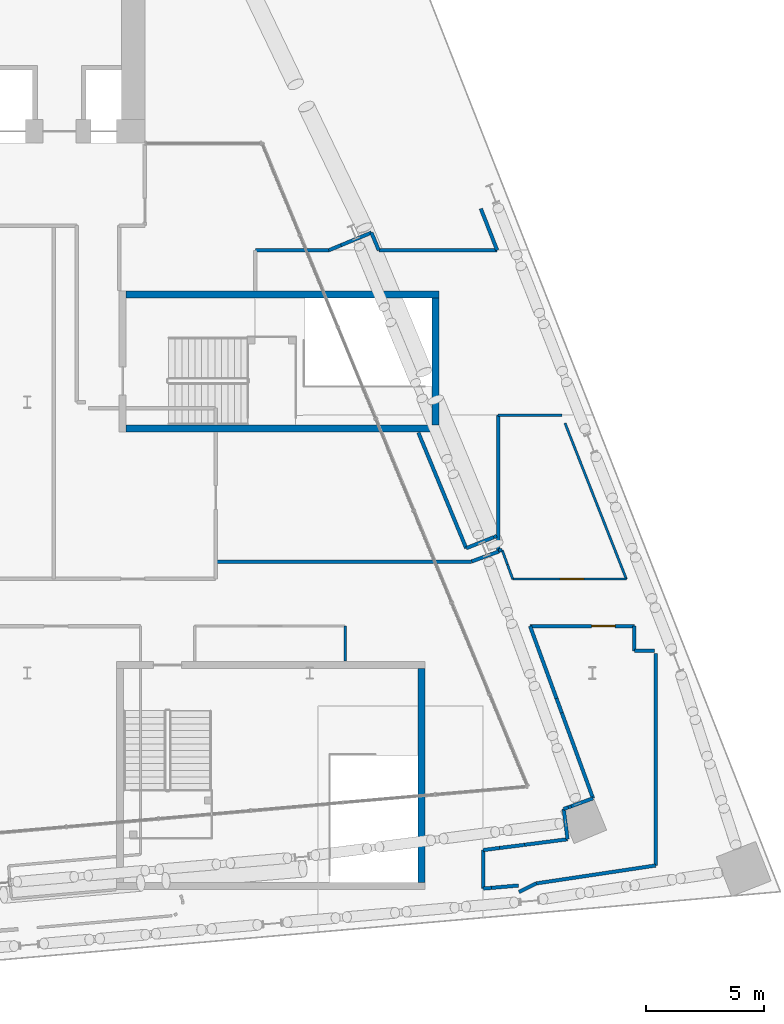
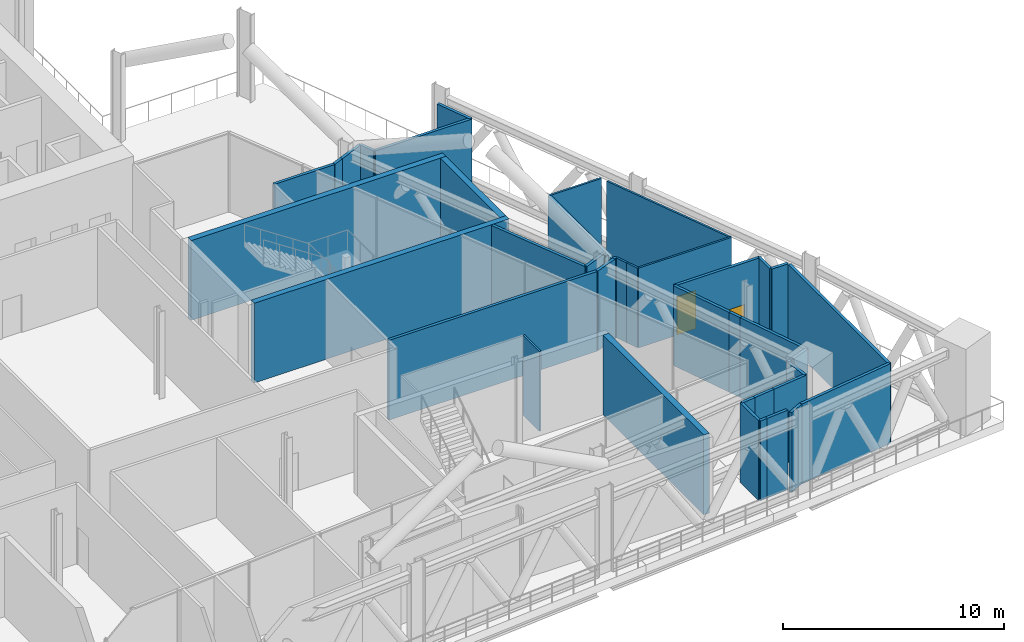
# One storey, part 22 of 42: 42 walls, 2 doors, 2 openings.
"""IFC4 building model written with IfcOpenShell, lengths in metres."""

from ifc_helpers import new_model, si_unit, direction, frame, frame_2d, origin, place, context, subcontext, project, spatial, rectangle, extrude, material, layer, layer_set, type_object, element, fill, save


model = new_model("IFC4")

# Units and contexts
model_context = context("Model", 3, precision=1e-05, world=origin(), true_north=direction((0.0, 1.0)))
body_context = subcontext(model_context, "Body", "Model", "MODEL_VIEW")
ifc_project = project(units=[si_unit("LENGTHUNIT", "METRE"), si_unit("AREAUNIT", "SQUARE_METRE"), si_unit("VOLUMEUNIT", "CUBIC_METRE"), si_unit("PLANEANGLEUNIT", "RADIAN"), si_unit("MASSUNIT", "GRAM", prefix="KILO")], contexts=[model_context])

# Site, building, storey
site_placement = place(None, origin())
site = spatial("IfcSite", under=ifc_project, at=site_placement, CompositionType="ELEMENT")
building_placement = place(site_placement, origin())
building = spatial("IfcBuilding", under=site, at=building_placement, Name="Wharfspan Tower", CompositionType="ELEMENT")
storey_placement = place(building_placement, frame((0.0, 0.0, 147.100098)))
storey = spatial("IfcBuildingStorey", under=building, at=storey_placement, Name="L35", CompositionType="ELEMENT", Elevation=147.100098)

# Wall
ifc_material_1 = material(Name="Gypsum board on steel studs", Category="steel")
ifc_layer_1 = layer(ifc_material_1, 0.100098)
ifc_layer_set_1 = layer_set([ifc_layer_1], Name="Gypsum board on steel studs")
wall_type_1 = type_object("IfcWallType", Name="Compartment wall 100 EI 60", PredefinedType="PARTITIONING", material=ifc_layer_set_1)
wall_1_placement = place(storey_placement, frame((73.5, 12.003662, 0.0), z_axis=(0.0, 0.0, 1.0), x_axis=(0.0, 1.0, 0.0)))
element("IfcWall", 1, at=wall_1_placement, inside=storey, type_object=wall_type_1, Name="Partition L35.w083", PredefinedType="PARTITIONING", context=body_context, shape_type="SweptSolid", body=[
    extrude(rectangle(XDim=1.486328, YDim=0.100098, at=frame_2d((0.743164, 0.0))), origin(), (0.0, 0.0, 1.0), 4.399902),
])

# Wall, opening, door
wall_2_placement = place(storey_placement, frame((80.620117, 15.48999, 0.0), z_axis=(0.0, 0.0, 1.0), x_axis=(1.0, 0.0, 0.0)))
wall_2 = element("IfcWall", 2, at=wall_2_placement, inside=storey, type_object=wall_type_1, Name="Partition L35.w100", PredefinedType="PARTITIONING", context=body_context, shape_type="SweptSolid", body=[
    extrude(rectangle(XDim=4.824951, YDim=0.100098, at=frame_2d((2.412598, 0.0))), origin(), (0.0, 0.0, 1.0), 4.399902),
])
opening_1_placement = place(wall_2_placement, frame((2.011963, 0.0, 0.0)))
opening_1 = element("IfcOpeningElement", 3, at=opening_1_placement, cuts=wall_2, Name="Opening BB-11", PredefinedType="OPENING", context=body_context, shape_type="SweptSolid", body=[
    extrude(rectangle(XDim=1.0, YDim=2.100098, at=frame_2d((0.5, 1.050049))), frame((0.0, 0.060059, 0.0), z_axis=(0.0, -1.0, 0.0), x_axis=(1.0, 0.0, 0.0)), (0.0, 0.0, 1.0), 0.120117),
])
ifc_material_2 = material(Name="Fire-rated timber door leaf in steel frame", Category="steel")
door_type_1 = type_object("IfcDoorType", Name="Door 1000 FD30S Right", OperationType="SINGLE_SWING_RIGHT", PredefinedType="DOOR", material=ifc_material_2)
door_1_placement = place(opening_1_placement, origin())
door_1 = element("IfcDoor", 4, at=door_1_placement, inside=storey, type_object=door_type_1, Name="Door BB-11", OperationType="SINGLE_SWING_RIGHT", OverallHeight=2.100098, OverallWidth=1.0, PredefinedType="DOOR", context=body_context, shape_type="SweptSolid", body=[
    extrude(rectangle(XDim=1.0, YDim=2.100098, at=frame_2d((0.5, 1.050049))), frame((0.0, 0.024902, 0.0), z_axis=(0.0, -1.0, 0.0), x_axis=(1.0, 0.0, 0.0)), (0.0, 0.0, 1.0), 0.050049),
])
fill(opening_1, door_1)

# Walls
wall_3_placement = place(storey_placement, frame((80.620117, 15.48999, 0.0), z_axis=(0.0, 0.0, 1.0), x_axis=(-0.343719, 0.939076, 0.0)))
element("IfcWall", 5, at=wall_3_placement, inside=storey, type_object=wall_type_1, Name="Partition L35.w101", PredefinedType="PARTITIONING", context=body_context, shape_type="SweptSolid", body=[
    extrude(rectangle(XDim=0.654785, YDim=0.100098, at=frame_2d((0.327393, 0.0))), origin(), (0.0, 0.0, 1.0), 4.399902),
])
wall_4_placement = place(storey_placement, frame((85.445068, 15.48999, 0.0), z_axis=(0.0, 0.0, 1.0), x_axis=(-0.366214, 0.930531, 0.0)))
element("IfcWall", 6, at=wall_4_placement, inside=storey, type_object=wall_type_1, Name="Partition L35.w114", PredefinedType="PARTITIONING", context=body_context, shape_type="SweptSolid", body=[
    extrude(rectangle(XDim=7.114502, YDim=0.100098, at=frame_2d((3.557129, 0.0))), origin(), (0.0, 0.0, 1.0), 4.399902),
])
ifc_layer_2 = layer(ifc_material_1, 0.100098)
ifc_layer_set_2 = layer_set([ifc_layer_2], Name="Gypsum board on steel studs")
wall_type_2 = type_object("IfcWallType", Name="Partition 100", PredefinedType="PARTITIONING", material=ifc_layer_set_2)
wall_5_placement = place(storey_placement, frame((80.0, 22.449951, 0.0), z_axis=(0.0, 0.0, 1.0), x_axis=(1.0, 0.0, 0.0)))
element("IfcWall", 7, at=wall_5_placement, inside=storey, type_object=wall_type_2, Name="Partition L35.w096", PredefinedType="PARTITIONING", context=body_context, shape_type="SweptSolid", body=[
    extrude(rectangle(XDim=2.709961, YDim=0.100098, at=frame_2d((1.35498, 0.0))), origin(), (0.0, 0.0, 1.0), 4.399902),
])
wall_6_placement = place(storey_placement, frame((80.39502, 16.10498, 0.0), z_axis=(0.0, 0.0, 1.0), x_axis=(-0.341711, 0.9398, 0.0)))
element("IfcWall", 8, at=wall_6_placement, inside=storey, type_object=wall_type_2, Name="Partition L35.w099", PredefinedType="PARTITIONING", context=body_context, shape_type="SweptSolid", body=[
    extrude(rectangle(XDim=0.643799, YDim=0.100098, at=frame_2d((0.321777, 0.0))), origin(), (0.0, 0.0, 1.0), 4.399902),
])
ifc_layer_3 = layer(ifc_material_1, 0.149902)
ifc_layer_set_3 = layer_set([ifc_layer_3], Name="Gypsum board on steel studs")
wall_type_3 = type_object("IfcWallType", Name="Plant room wall 150 EI 120", PredefinedType="PARTITIONING", material=ifc_layer_set_3)
wall_7_placement = place(storey_placement, frame((68.0, 16.22998, 0.0), z_axis=(0.0, 0.0, 1.0), x_axis=(1.0, 0.0, 0.0)))
element("IfcWall", 9, at=wall_7_placement, inside=storey, type_object=wall_type_3, Name="Partition L35.w078", PredefinedType="PARTITIONING", context=body_context, shape_type="SweptSolid", body=[
    extrude(rectangle(XDim=10.860107, YDim=0.149902, at=frame_2d((5.430176, 0.0))), origin(), (0.0, 0.0, 1.0), 4.399902),
])
wall_8_placement = place(storey_placement, frame((69.689941, 29.449951, 0.0), z_axis=(0.0, 0.0, 1.0), x_axis=(1.0, 0.0, 0.0)))
element("IfcWall", 10, at=wall_8_placement, inside=storey, type_object=wall_type_3, Name="Partition L35.w080", PredefinedType="PARTITIONING", context=body_context, shape_type="SweptSolid", body=[
    extrude(rectangle(XDim=3.120117, YDim=0.149902, at=frame_2d((1.560059, 0.0))), origin(), (0.0, 0.0, 1.0), 4.399902),
])
wall_9_placement = place(storey_placement, frame((72.810059, 29.449951, 0.0), z_axis=(0.0, 0.0, 1.0), x_axis=(0.922727, 0.385454, 0.0)))
element("IfcWall", 11, at=wall_9_placement, inside=storey, type_object=wall_type_3, Name="Partition L35.w081", PredefinedType="PARTITIONING", context=body_context, shape_type="SweptSolid", body=[
    extrude(rectangle(XDim=0.558105, YDim=0.149902, at=frame_2d((0.279053, 0.0))), origin(), (0.0, 0.0, 1.0), 4.399902),
])
wall_10_placement = place(storey_placement, frame((73.324951, 29.665039, 0.0), z_axis=(0.0, 0.0, 1.0), x_axis=(0.924271, 0.38173, 0.0)))
element("IfcWall", 12, at=wall_10_placement, inside=storey, type_object=wall_type_3, Name="Partition L35.w082", PredefinedType="PARTITIONING", context=body_context, shape_type="SweptSolid", body=[
    extrude(rectangle(XDim=1.401367, YDim=0.149902, at=frame_2d((0.700684, 0.0))), origin(), (0.0, 0.0, 1.0), 4.399902),
])
wall_11_placement = place(storey_placement, frame((74.929932, 29.449951, 0.0), z_axis=(0.0, 0.0, 1.0), x_axis=(1.0, 0.0, 0.0)))
element("IfcWall", 13, at=wall_11_placement, inside=storey, type_object=wall_type_3, Name="Partition L35.w084", PredefinedType="PARTITIONING", context=body_context, shape_type="SweptSolid", body=[
    extrude(rectangle(XDim=5.030029, YDim=0.149902, at=frame_2d((2.515137, 0.0))), origin(), (0.0, 0.0, 1.0), 4.399902),
])
wall_12_placement = place(storey_placement, frame((74.929932, 29.449951, 0.0), z_axis=(0.0, 0.0, 1.0), x_axis=(-0.381793, 0.924246, 0.0)))
element("IfcWall", 14, at=wall_12_placement, inside=storey, type_object=wall_type_3, Name="Partition L35.w085", PredefinedType="PARTITIONING", context=body_context, shape_type="SweptSolid", body=[
    extrude(rectangle(XDim=0.811523, YDim=0.149902, at=frame_2d((0.405762, 0.0))), origin(), (0.0, 0.0, 1.0), 4.399902),
])
wall_13_placement = place(storey_placement, frame((78.64502, 16.794922, 0.0), z_axis=(0.0, 0.0, 1.0), x_axis=(0.927928, 0.372759, 0.0)))
element("IfcWall", 15, at=wall_13_placement, inside=storey, type_object=wall_type_3, Name="Partition L35.w086", PredefinedType="PARTITIONING", context=body_context, shape_type="SweptSolid", body=[
    extrude(rectangle(XDim=1.260742, YDim=0.149902, at=frame_2d((0.630371, 0.0))), origin(), (0.0, 0.0, 1.0), 4.399902),
])
wall_14_placement = place(storey_placement, frame((78.64502, 16.794922, 0.0), z_axis=(0.0, 0.0, 1.0), x_axis=(-0.382344, 0.924021, 0.0)))
element("IfcWall", 16, at=wall_14_placement, inside=storey, type_object=wall_type_3, Name="Partition L35.w087", PredefinedType="PARTITIONING", context=body_context, shape_type="SweptSolid", body=[
    extrude(rectangle(XDim=5.313965, YDim=0.149902, at=frame_2d((2.656982, 0.0))), origin(), (0.0, 0.0, 1.0), 4.399902),
])
wall_15_placement = place(storey_placement, frame((78.879883, 16.235107, 0.0), z_axis=(0.0, 0.0, 1.0), x_axis=(0.938647, 0.344869, 0.0)))
element("IfcWall", 17, at=wall_15_placement, inside=storey, type_object=wall_type_3, Name="Partition L35.w088", PredefinedType="PARTITIONING", context=body_context, shape_type="SweptSolid", body=[
    extrude(rectangle(XDim=1.246582, YDim=0.149902, at=frame_2d((0.623291, 0.0))), origin(), (0.0, 0.0, 1.0), 4.399902),
])
wall_16_placement = place(storey_placement, frame((79.36499, 2.340088, 0.0), z_axis=(0.0, 0.0, 1.0), x_axis=(0.0, 1.0, 0.0)))
element("IfcWall", 18, at=wall_16_placement, inside=storey, type_object=wall_type_3, Name="Partition L35.w089", PredefinedType="PARTITIONING", context=body_context, shape_type="SweptSolid", body=[
    extrude(rectangle(XDim=1.63501, YDim=0.149902, at=frame_2d((0.817383, 0.0))), origin(), (0.0, 0.0, 1.0), 4.399902),
])
wall_17_placement = place(storey_placement, frame((79.36499, 2.340088, 0.0), z_axis=(0.0, 0.0, 1.0), x_axis=(0.996537, 0.083101, 0.0)))
element("IfcWall", 19, at=wall_17_placement, inside=storey, type_object=wall_type_3, Name="Partition L35.w090", PredefinedType="PARTITIONING", context=body_context, shape_type="SweptSolid", body=[
    extrude(rectangle(XDim=0.361328, YDim=0.149902, at=frame_2d((0.180664, 0.0))), origin(), (0.0, 0.0, 1.0), 4.399902),
])
wall_18_placement = place(storey_placement, frame((79.36499, 3.975098, 0.0), z_axis=(0.0, 0.0, 1.0), x_axis=(0.991865, 0.127313, 0.0)))
element("IfcWall", 20, at=wall_18_placement, inside=storey, type_object=wall_type_3, Name="Partition L35.w091", PredefinedType="PARTITIONING", context=body_context, shape_type="SweptSolid", body=[
    extrude(rectangle(XDim=0.705811, YDim=0.149902, at=frame_2d((0.353027, 0.0))), origin(), (0.0, 0.0, 1.0), 4.399902),
])
wall_19_placement = place(storey_placement, frame((79.725098, 2.370117, 0.0), z_axis=(0.0, 0.0, 1.0), x_axis=(0.996148, 0.087637, 0.0)))
element("IfcWall", 21, at=wall_19_placement, inside=storey, type_object=wall_type_3, Name="Partition L35.w092", PredefinedType="PARTITIONING", context=body_context, shape_type="SweptSolid", body=[
    extrude(rectangle(XDim=1.139404, YDim=0.149902, at=frame_2d((0.569824, 0.0))), origin(), (0.0, 0.0, 1.0), 4.399902),
])
wall_20_placement = place(storey_placement, frame((79.820068, 17.264893, 0.0), z_axis=(0.0, 0.0, 1.0), x_axis=(0.922795, 0.385281, 0.0)))
element("IfcWall", 22, at=wall_20_placement, inside=storey, type_object=wall_type_3, Name="Partition L35.w093", PredefinedType="PARTITIONING", context=body_context, shape_type="SweptSolid", body=[
    extrude(rectangle(XDim=0.129883, YDim=0.149902, at=frame_2d((0.064941, 0.0))), origin(), (0.0, 0.0, 1.0), 4.399902),
])
wall_21_placement = place(storey_placement, frame((79.959961, 29.449951, 0.0), z_axis=(0.0, 0.0, 1.0), x_axis=(-0.365519, 0.930809, 0.0)))
element("IfcWall", 23, at=wall_21_placement, inside=storey, type_object=wall_type_3, Name="Partition L35.w094", PredefinedType="PARTITIONING", context=body_context, shape_type="SweptSolid", body=[
    extrude(rectangle(XDim=1.901611, YDim=0.149902, at=frame_2d((0.950684, 0.0))), origin(), (0.0, 0.0, 1.0), 4.399902),
])
wall_22_placement = place(storey_placement, frame((80.0, 16.709961, 0.0), z_axis=(0.0, 0.0, 1.0), x_axis=(0.0, 1.0, 0.0)))
element("IfcWall", 24, at=wall_22_placement, inside=storey, type_object=wall_type_3, Name="Partition L35.w095", PredefinedType="PARTITIONING", context=body_context, shape_type="SweptSolid", body=[
    extrude(rectangle(XDim=5.73999, YDim=0.149902, at=frame_2d((2.870117, 0.0))), origin(), (0.0, 0.0, 1.0), 4.399902),
])
wall_23_placement = place(storey_placement, frame((80.024902, 16.709961, 0.0), z_axis=(0.0, 0.0, 1.0), x_axis=(1.0, 0.0, 0.0)))
element("IfcWall", 25, at=wall_23_placement, inside=storey, type_object=wall_type_3, Name="Partition L35.w097", PredefinedType="PARTITIONING", context=body_context, shape_type="SweptSolid", body=[
    extrude(rectangle(XDim=0.14502, YDim=0.149902, at=frame_2d((0.07251, 0.0))), origin(), (0.0, 0.0, 1.0), 4.399902),
])
wall_24_placement = place(storey_placement, frame((80.064941, 4.064941, 0.0), z_axis=(0.0, 0.0, 1.0), x_axis=(0.992059, 0.12577, 0.0)))
element("IfcWall", 26, at=wall_24_placement, inside=storey, type_object=wall_type_3, Name="Partition L35.w098", PredefinedType="PARTITIONING", context=body_context, shape_type="SweptSolid", body=[
    extrude(rectangle(XDim=1.073486, YDim=0.149902, at=frame_2d((0.536621, 0.0))), origin(), (0.0, 0.0, 1.0), 4.399902),
])
wall_25_placement = place(storey_placement, frame((80.88501, 2.189941, 0.0), z_axis=(0.0, 0.0, 1.0), x_axis=(0.894365, 0.44733, 0.0)))
element("IfcWall", 27, at=wall_25_placement, inside=storey, type_object=wall_type_3, Name="Partition L35.w102", PredefinedType="PARTITIONING", context=body_context, shape_type="SweptSolid", body=[
    extrude(rectangle(XDim=0.827393, YDim=0.149902, at=frame_2d((0.413574, 0.0))), origin(), (0.0, 0.0, 1.0), 4.399902),
])
wall_26_placement = place(storey_placement, frame((81.129883, 4.199951, 0.0), z_axis=(0.0, 0.0, 1.0), x_axis=(0.991763, 0.128111, 0.0)))
element("IfcWall", 28, at=wall_26_placement, inside=storey, type_object=wall_type_3, Name="Partition L35.w103", PredefinedType="PARTITIONING", context=body_context, shape_type="SweptSolid", body=[
    extrude(rectangle(XDim=1.835205, YDim=0.149902, at=frame_2d((0.91748, 0.0))), origin(), (0.0, 0.0, 1.0), 4.399902),
])

# Wall, opening, door
wall_27_placement = place(storey_placement, frame((81.35498, 13.48999, 0.0), z_axis=(0.0, 0.0, 1.0), x_axis=(1.0, 0.0, 0.0)))
wall_27 = element("IfcWall", 29, at=wall_27_placement, inside=storey, type_object=wall_type_3, Name="Partition L35.w104", PredefinedType="PARTITIONING", context=body_context, shape_type="SweptSolid", body=[
    extrude(rectangle(XDim=4.429932, YDim=0.149902, at=frame_2d((2.214844, 0.0))), origin(), (0.0, 0.0, 1.0), 4.399902),
])
opening_2_placement = place(wall_27_placement, frame((2.615723, 0.0, 0.0)))
opening_2 = element("IfcOpeningElement", 30, at=opening_2_placement, cuts=wall_27, Name="Opening BB-08", PredefinedType="OPENING", context=body_context, shape_type="SweptSolid", body=[
    extrude(rectangle(XDim=1.0, YDim=2.100098, at=frame_2d((0.5, 1.050049))), frame((0.0, 0.084961, 0.0), z_axis=(0.0, -1.0, 0.0), x_axis=(1.0, 0.0, 0.0)), (0.0, 0.0, 1.0), 0.169922),
])
door_type_2 = type_object("IfcDoorType", Name="Door 1000 FD60 Right", OperationType="SINGLE_SWING_RIGHT", PredefinedType="DOOR", material=ifc_material_2)
door_2_placement = place(opening_2_placement, origin())
door_2 = element("IfcDoor", 31, at=door_2_placement, inside=storey, type_object=door_type_2, Name="Door BB-08", OperationType="SINGLE_SWING_RIGHT", OverallHeight=2.100098, OverallWidth=1.0, PredefinedType="DOOR", context=body_context, shape_type="SweptSolid", body=[
    extrude(rectangle(XDim=1.0, YDim=2.100098, at=frame_2d((0.5, 1.050049))), frame((0.0, 0.024902, 0.0), z_axis=(0.0, -1.0, 0.0), x_axis=(1.0, 0.0, 0.0)), (0.0, 0.0, 1.0), 0.050049),
])
fill(opening_2, door_2)

# Walls
wall_28_placement = place(storey_placement, frame((81.625, 2.560059, 0.0), z_axis=(0.0, 0.0, 1.0), x_axis=(0.98893, 0.148392, 0.0)))
element("IfcWall", 32, at=wall_28_placement, inside=storey, type_object=wall_type_3, Name="Partition L35.w105", PredefinedType="PARTITIONING", context=body_context, shape_type="SweptSolid", body=[
    extrude(rectangle(XDim=5.121582, YDim=0.149902, at=frame_2d((2.560791, 0.0))), origin(), (0.0, 0.0, 1.0), 4.399902),
])
wall_29_placement = place(storey_placement, frame((82.47998, 10.415039, 0.0), z_axis=(0.0, 0.0, 1.0), x_axis=(-0.343587, 0.939123, 0.0)))
element("IfcWall", 33, at=wall_29_placement, inside=storey, type_object=wall_type_3, Name="Partition L35.w106", PredefinedType="PARTITIONING", context=body_context, shape_type="SweptSolid", body=[
    extrude(rectangle(XDim=3.27417, YDim=0.149902, at=frame_2d((1.637207, 0.0))), origin(), (0.0, 0.0, 1.0), 4.399902),
])
wall_30_placement = place(storey_placement, frame((82.705078, 9.804932, 0.0), z_axis=(0.0, 0.0, 1.0), x_axis=(-0.34614, 0.938182, 0.0)))
element("IfcWall", 34, at=wall_30_placement, inside=storey, type_object=wall_type_3, Name="Partition L35.w107", PredefinedType="PARTITIONING", context=body_context, shape_type="SweptSolid", body=[
    extrude(rectangle(XDim=0.650391, YDim=0.149902, at=frame_2d((0.325195, 0.0))), origin(), (0.0, 0.0, 1.0), 4.399902),
])
wall_31_placement = place(storey_placement, frame((82.784912, 5.719971, 0.0), z_axis=(0.0, 0.0, 1.0), x_axis=(0.94113, 0.338053, 0.0)))
element("IfcWall", 35, at=wall_31_placement, inside=storey, type_object=wall_type_3, Name="Partition L35.w108", PredefinedType="PARTITIONING", context=body_context, shape_type="SweptSolid", body=[
    extrude(rectangle(XDim=0.207275, YDim=0.149902, at=frame_2d((0.103516, 0.0))), origin(), (0.0, 0.0, 1.0), 4.399902),
])
wall_32_placement = place(storey_placement, frame((82.949951, 4.435059, 0.0), z_axis=(0.0, 0.0, 1.0), x_axis=(-0.127397, 0.99185, 0.0)))
element("IfcWall", 36, at=wall_32_placement, inside=storey, type_object=wall_type_3, Name="Partition L35.w109", PredefinedType="PARTITIONING", context=body_context, shape_type="SweptSolid", body=[
    extrude(rectangle(XDim=1.29541, YDim=0.149902, at=frame_2d((0.647705, 0.0))), origin(), (0.0, 0.0, 1.0), 4.399902),
])
wall_33_placement = place(storey_placement, frame((82.97998, 5.790039, 0.0), z_axis=(0.0, 0.0, 1.0), x_axis=(0.941078, 0.3382, 0.0)))
element("IfcWall", 37, at=wall_33_placement, inside=storey, type_object=wall_type_3, Name="Partition L35.w110", PredefinedType="PARTITIONING", context=body_context, shape_type="SweptSolid", body=[
    extrude(rectangle(XDim=0.132812, YDim=0.149902, at=frame_2d((0.066406, 0.0))), origin(), (0.0, 0.0, 1.0), 4.399902),
])
wall_34_placement = place(storey_placement, frame((83.10498, 5.834961, 0.0), z_axis=(0.0, 0.0, 1.0), x_axis=(0.938584, 0.345064, 0.0)))
element("IfcWall", 38, at=wall_34_placement, inside=storey, type_object=wall_type_3, Name="Partition L35.w111", PredefinedType="PARTITIONING", context=body_context, shape_type="SweptSolid", body=[
    extrude(rectangle(XDim=0.985596, YDim=0.149902, at=frame_2d((0.492676, 0.0))), origin(), (0.0, 0.0, 1.0), 4.399902),
])
wall_35_placement = place(storey_placement, frame((84.030029, 6.175049, 0.0), z_axis=(0.0, 0.0, 1.0), x_axis=(-0.342884, 0.939377, 0.0)))
element("IfcWall", 39, at=wall_35_placement, inside=storey, type_object=wall_type_3, Name="Partition L35.w113", PredefinedType="PARTITIONING", context=body_context, shape_type="SweptSolid", body=[
    extrude(rectangle(XDim=3.864014, YDim=0.149902, at=frame_2d((1.932129, 0.0))), origin(), (0.0, 0.0, 1.0), 4.399902),
])
wall_36_placement = place(storey_placement, frame((85.784912, 12.439941, 0.0), z_axis=(0.0, 0.0, 1.0), x_axis=(0.0, 1.0, 0.0)))
element("IfcWall", 40, at=wall_36_placement, inside=storey, type_object=wall_type_3, Name="Partition L35.w115", PredefinedType="PARTITIONING", context=body_context, shape_type="SweptSolid", body=[
    extrude(rectangle(XDim=1.050049, YDim=0.149902, at=frame_2d((0.524902, 0.0))), origin(), (0.0, 0.0, 1.0), 4.399902),
])
wall_37_placement = place(storey_placement, frame((85.790039, 12.439941, 0.0), z_axis=(0.0, 0.0, 1.0), x_axis=(1.0, 0.0, 0.0)))
element("IfcWall", 41, at=wall_37_placement, inside=storey, type_object=wall_type_3, Name="Partition L35.w116", PredefinedType="PARTITIONING", context=body_context, shape_type="SweptSolid", body=[
    extrude(rectangle(XDim=0.85498, YDim=0.149902, at=frame_2d((0.42749, 0.0))), origin(), (0.0, 0.0, 1.0), 4.399902),
])
wall_38_placement = place(storey_placement, frame((86.689941, 3.320068, 0.0), z_axis=(0.0, 0.0, 1.0), x_axis=(0.0, 1.0, 0.0)))
element("IfcWall", 42, at=wall_38_placement, inside=storey, type_object=wall_type_3, Name="Partition L35.w117", PredefinedType="PARTITIONING", context=body_context, shape_type="SweptSolid", body=[
    extrude(rectangle(XDim=9.0, YDim=0.149902, at=frame_2d((4.5, 0.0))), origin(), (0.0, 0.0, 1.0), 4.399902),
])
ifc_material_3 = material(Name="Concrete C40/50", Category="concrete")
ifc_layer_4 = layer(ifc_material_3, 0.300049)
ifc_layer_set_4 = layer_set([ifc_layer_4], Name="Concrete C40/50")
wall_type_4 = type_object("IfcWallType", Name="Stair core wall 300", PredefinedType="SHEAR", material=ifc_layer_set_4)
wall_39_placement = place(storey_placement, frame((76.740967, 2.594727, 0.0), z_axis=(0.0, 0.0, 1.0), x_axis=(0.0, 1.0, 0.0)))
element("IfcWall", 43, at=wall_39_placement, inside=storey, type_object=wall_type_4, Name="ST5 stair enclosure wall L35", PredefinedType="SHEAR", context=body_context, shape_type="SweptSolid", body=[
    extrude(rectangle(XDim=9.088867, YDim=0.300049, at=frame_2d((4.544434, 0.0))), origin(), (0.0, 0.0, 1.0), 4.399902),
])
for number, where, z_axis, x_axis, name in (
    (44, (64.20459, 21.875, 0.0), (0.0, 0.0, 1.0), (1.0, 0.0, 0.0), "ST6 stair enclosure wall L35"),
    (45, (64.20459, 27.574951, 0.0), (0.0, 0.0, 1.0), (1.0, 0.0, 0.0), "ST6 stair enclosure wall L35"),
):
    element("IfcWall", number, at=place(storey_placement, frame(where, z_axis=z_axis, x_axis=x_axis)), inside=storey, type_object=wall_type_4, Name=name, PredefinedType="SHEAR", context=body_context, shape_type="SweptSolid", body=[
        extrude(rectangle(XDim=13.285889, YDim=0.300049, at=frame_2d((6.643066, 0.0))), origin(), (0.0, 0.0, 1.0), 4.399902),
    ])
wall_40_placement = place(storey_placement, frame((77.340332, 22.024902, 0.0), z_axis=(0.0, 0.0, 1.0), x_axis=(0.0, 1.0, 0.0)))
element("IfcWall", 46, at=wall_40_placement, inside=storey, type_object=wall_type_4, Name="ST6 stair enclosure wall L35", PredefinedType="SHEAR", context=body_context, shape_type="SweptSolid", body=[
    extrude(rectangle(XDim=5.400146, YDim=0.300049, at=frame_2d((2.700195, 0.0))), origin(), (0.0, 0.0, 1.0), 4.399902),
])

save(model, "model.ifc")
